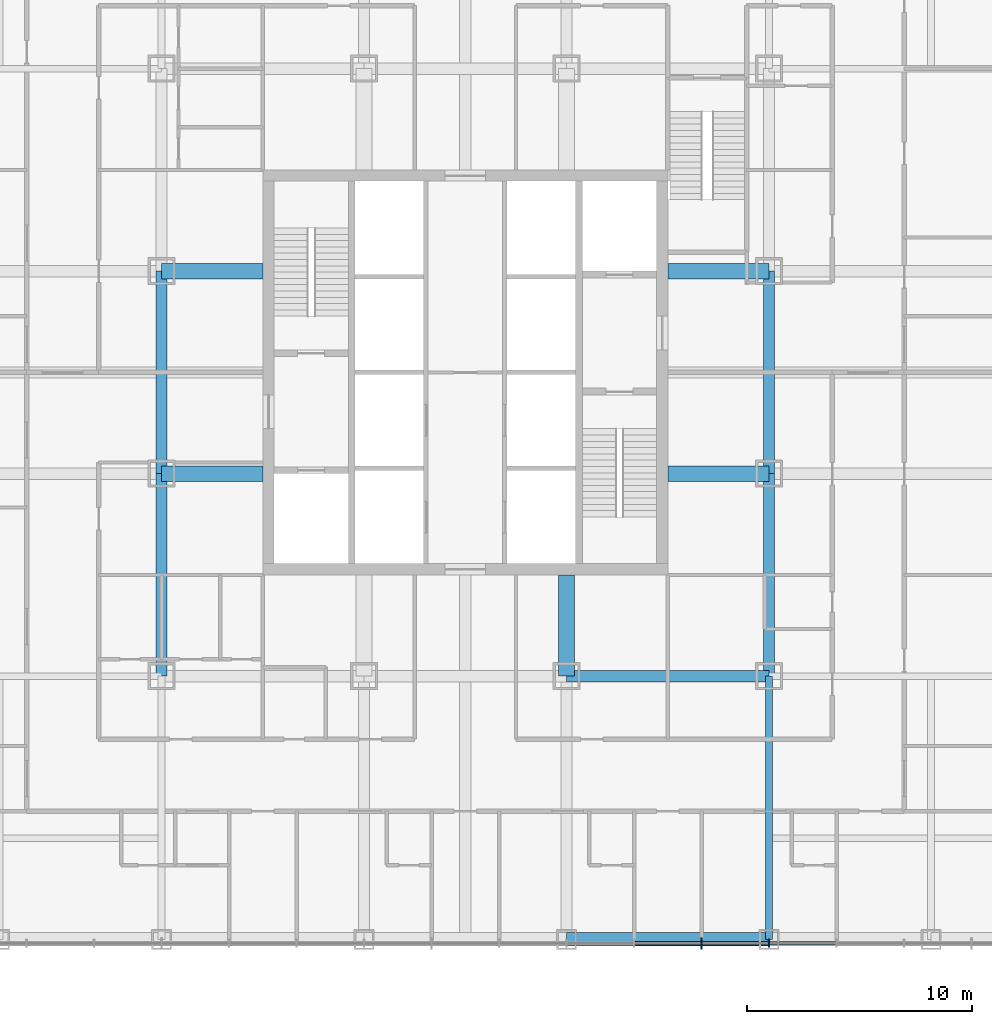
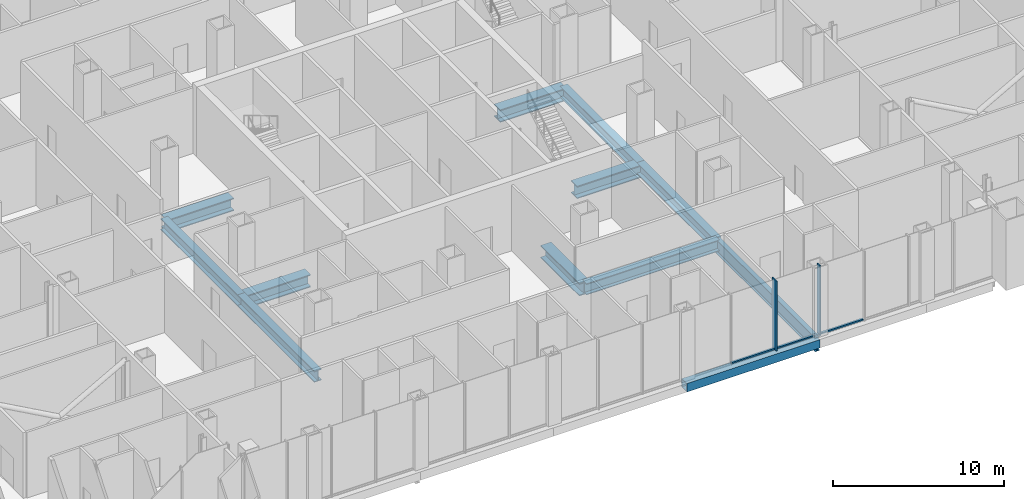
# One storey, part 7 of 28: 12 beams, 5 members, 1 element without a shape of its own.
"""IFC4 building model written with IfcOpenShell, lengths in metres."""

import ifcopenshell
import ifcopenshell.guid

model = None  # the IFC model being written
_history = None  # IfcOwnerHistory: only IFC2X3 demands one
_inside = {}  # id of a spatial element -> (the spatial element, [elements in it])
_under = {}  # id of a project, library or spatial element -> (it, [spatial elements below it])
_declared = {}  # id of a project -> (the project, [libraries it declares])
_typed = {}  # id of a type object -> (the type object, [elements of that type])
_made_of = {}  # id of a material, layer set ... -> (it, [elements and type objects made of it])


def new_model(schema):
    """Start an empty IFC model of exactly this schema.

    Asked for "IFC4X3", IfcOpenShell would pick the latest addendum, in which some entities
    have other attributes; the version numbers below select the first issue.
    IFC2X3 requires an IfcOwnerHistory on every rooted entity: one is made here for all.
    """
    global model, _history
    if schema == "IFC4X3":
        model = ifcopenshell.file(schema_version=(4, 3, 0, 0))
    else:
        model = ifcopenshell.file(schema=schema)
    _inside.clear()
    _under.clear()
    _declared.clear()
    _typed.clear()
    _made_of.clear()
    _history = None
    if model.schema == "IFC2X3":
        org = make("IfcOrganization", Name="unknown")
        user = make(
            "IfcPersonAndOrganization",
            ThePerson=make("IfcPerson", FamilyName="unknown"),
            TheOrganization=org,
        )
        app = make(
            "IfcApplication",
            ApplicationDeveloper=org,
            Version="unknown",
            ApplicationFullName="unknown",
            ApplicationIdentifier="unknown",
        )
        _history = make(
            "IfcOwnerHistory",
            OwningUser=user,
            OwningApplication=app,
            ChangeAction="ADDED",
            CreationDate=0,
        )
    return model


def make(cls, **values):
    """One entity of the class cls with the attributes given. An attribute that is None is left unset."""
    return model.create_entity(
        cls, **{name: value for name, value in values.items() if value is not None}
    )


def rooted(cls, **values):
    """An entity with a GlobalId (a new one), such as an element, a storey or a relation."""
    return make(cls, GlobalId=ifcopenshell.guid.new(), OwnerHistory=_history, **values)


def si_unit(unit_type, name, prefix=None):
    """IfcSIUnit, for example si_unit("LENGTHUNIT", "METRE", prefix="MILLI")."""
    return make("IfcSIUnit", UnitType=unit_type, Prefix=prefix, Name=name)


def assignment(units):
    """IfcUnitAssignment: the units of a project."""
    return None if units is None else make("IfcUnitAssignment", Units=units)


def point(xyz):
    """IfcCartesianPoint."""
    return None if xyz is None else make("IfcCartesianPoint", Coordinates=xyz)


def direction(xyz):
    """IfcDirection."""
    return None if xyz is None else make("IfcDirection", DirectionRatios=xyz)


def frame(location, z_axis=None, x_axis=None):
    """IfcAxis2Placement3D, a coordinate frame: its origin and axes. An axis left out is left unset."""
    return make(
        "IfcAxis2Placement3D",
        Location=point(location),
        Axis=direction(z_axis),
        RefDirection=direction(x_axis),
    )


def frame_2d(location, x_axis=None):
    """IfcAxis2Placement2D, a coordinate frame in the plane: its origin and x axis."""
    return make(
        "IfcAxis2Placement2D", Location=point(location), RefDirection=direction(x_axis)
    )


def origin():
    """The frame at (0, 0, 0) with its axes left unset."""
    return frame((0.0, 0.0, 0.0))


def origin_2d():
    """The frame at (0, 0) in the plane with its x axis left unset."""
    return frame_2d((0.0, 0.0))


def place(relative_to, where):
    """IfcLocalPlacement: puts the frame where relative to a parent placement (None: the world)."""
    return make(
        "IfcLocalPlacement", PlacementRelTo=relative_to, RelativePlacement=where
    )


def context(
    kind, dimensions, precision=None, world=None, true_north=None, identifier=None
):
    """IfcGeometricRepresentationContext, for example the 3D "Model" context."""
    return make(
        "IfcGeometricRepresentationContext",
        ContextIdentifier=identifier,
        ContextType=kind,
        CoordinateSpaceDimension=dimensions,
        Precision=precision,
        WorldCoordinateSystem=world,
        TrueNorth=true_north,
    )


def subcontext(parent, identifier, kind, view, scale=None):
    """IfcGeometricRepresentationSubContext, for example "Body" below "Model"."""
    return make(
        "IfcGeometricRepresentationSubContext",
        ContextIdentifier=identifier,
        ContextType=kind,
        ParentContext=parent,
        TargetScale=scale,
        TargetView=view,
    )


def project(units=None, contexts=None):
    """IfcProject with its units and contexts."""
    return rooted(
        "IfcProject",
        Name="project",
        RepresentationContexts=contexts,
        UnitsInContext=assignment(units),
    )


def spatial(cls, under=None, at=None, **own):
    """A site, building, storey or space (cls), placed at a placement, below another one or the project."""
    s = rooted(cls, ObjectPlacement=at, **own)
    if under is not None:
        _under.setdefault(under.id(), (under, []))[1].append(s)
    return s


def profile(cls, at=None, kind="AREA", **sizes):
    """A parametric profile (cls). Its sizes go by their IFC names, for example OverallWidth=200.0."""
    return make(cls, ProfileType=kind, Position=at, **sizes)


def rectangle(**sizes):
    """IfcRectangleProfileDef."""
    return profile("IfcRectangleProfileDef", **sizes)


def hollow_rectangle(**sizes):
    """IfcRectangleHollowProfileDef."""
    return profile("IfcRectangleHollowProfileDef", **sizes)


def i_section(**sizes):
    """IfcIShapeProfileDef."""
    return profile("IfcIShapeProfileDef", **sizes)


def extrude(swept, where, along, depth):
    """IfcExtrudedAreaSolid: the profile swept, set in the frame where, extruded along a direction by depth."""
    return make(
        "IfcExtrudedAreaSolid",
        SweptArea=swept,
        Position=where,
        ExtrudedDirection=direction(along),
        Depth=depth,
    )


def shape(context_of_items, identifier, shape_type, items):
    """IfcShapeRepresentation: the items that make up one representation, for example the "Body"."""
    return make(
        "IfcShapeRepresentation",
        ContextOfItems=context_of_items,
        RepresentationIdentifier=identifier,
        RepresentationType=shape_type,
        Items=items,
    )


def material(Name=None, Category=None):
    """IfcMaterial."""
    return make("IfcMaterial", Name=Name, Category=Category)


def layer(
    of_material, thickness, ventilated=None, Name=None, Category=None, Priority=None
):
    """IfcMaterialLayer: one layer of a wall or slab, of a material (None: an air gap)."""
    return make(
        "IfcMaterialLayer",
        Material=of_material,
        LayerThickness=thickness,
        IsVentilated=ventilated,
        Name=Name,
        Category=Category,
        Priority=Priority,
    )


def layer_set(layers, Name=None):
    """IfcMaterialLayerSet."""
    return make("IfcMaterialLayerSet", MaterialLayers=layers, LayerSetName=Name)


def material_profile(
    of_material, cross_section, Name=None, Category=None, Priority=None
):
    """IfcMaterialProfile: a cross section and its material."""
    return make(
        "IfcMaterialProfile",
        Name=Name,
        Material=of_material,
        Profile=cross_section,
        Priority=Priority,
        Category=Category,
    )


def profile_set(profiles, Name=None, composite=None):
    """IfcMaterialProfileSet."""
    return make(
        "IfcMaterialProfileSet",
        Name=Name,
        MaterialProfiles=profiles,
        CompositeProfile=composite,
    )


def made_of(thing, what):
    """Note that an element or type object is made of a material, layer set ...; save() writes the relation."""
    if what is not None:
        _made_of.setdefault(what.id(), (what, []))[1].append(thing)
    return thing


def type_object(cls, material=None, **own):
    """A type object (cls), such as IfcWallType, which elements share."""
    return made_of(rooted(cls, **own), material)


def element(
    cls,
    number,
    at=None,
    inside=None,
    cuts=None,
    type_object=None,
    material=None,
    context=None,
    identifier="Body",
    shape_type=None,
    held_by="IfcProductDefinitionShape",
    body=None,
    shapes=None,
    **own,
):
    """One element of the class cls, such as IfcWall. Its Tag is "e" and its number.

    at: its placement. inside: the storey or other place that contains it. cuts: it is an
    opening in that element (IfcRelVoidsElement). A single representation is given by context,
    identifier, shape_type and body (its items); several are given by shapes. held_by: the class
    of the entity that holds the representations. save() writes the other relations.
    """
    e = rooted(cls, Tag="e%d" % number, ObjectPlacement=at, **own)
    if body is not None:
        shapes = [shape(context, identifier, shape_type, body)]
    if shapes is not None:
        e.Representation = make(held_by, Representations=shapes)
    if inside is not None:
        _inside.setdefault(inside.id(), (inside, []))[1].append(e)
    if cuts is not None:
        rooted(
            "IfcRelVoidsElement", RelatingBuildingElement=cuts, RelatedOpeningElement=e
        )
    if type_object is not None:
        _typed.setdefault(type_object.id(), (type_object, []))[1].append(e)
    return made_of(e, material)


def aggregate(whole, parts):
    """IfcRelAggregates: a whole, such as a stair, and the parts it consists of."""
    return rooted("IfcRelAggregates", RelatingObject=whole, RelatedObjects=parts)


def save(model, path):
    """Write the relations noted so far, then the file.

    IfcRelAggregates (storeys below a building ...), IfcRelContainedInSpatialStructure (elements
    in a storey), IfcRelDefinesByType, IfcRelAssociatesMaterial and IfcRelDeclares: one each for
    every whole, place, type object, material and project.
    """
    for whole, parts in _under.values():
        aggregate(whole, parts)
    for where, things in _inside.values():
        rooted(
            "IfcRelContainedInSpatialStructure",
            RelatedElements=things,
            RelatingStructure=where,
        )
    for kind, things in _typed.values():
        rooted("IfcRelDefinesByType", RelatedObjects=things, RelatingType=kind)
    for what, things in _made_of.values():
        rooted("IfcRelAssociatesMaterial", RelatedObjects=things, RelatingMaterial=what)
    for by, libraries in _declared.values():
        rooted("IfcRelDeclares", RelatingContext=by, RelatedDefinitions=libraries)
    model.write(path)


model = new_model("IFC4")

# Units and contexts
model_context = context("Model", 3, precision=1e-05, world=origin(), true_north=direction((0.0, 1.0)))
body_context = subcontext(model_context, "Body", "Model", "MODEL_VIEW")
ifc_project = project(units=[si_unit("LENGTHUNIT", "METRE"), si_unit("AREAUNIT", "SQUARE_METRE"), si_unit("VOLUMEUNIT", "CUBIC_METRE"), si_unit("PLANEANGLEUNIT", "RADIAN"), si_unit("MASSUNIT", "GRAM", prefix="KILO")], contexts=[model_context])

# Site, building, storey
site_placement = place(None, origin())
site = spatial("IfcSite", under=ifc_project, at=site_placement, CompositionType="ELEMENT")
building_placement = place(site_placement, origin())
building = spatial("IfcBuilding", under=site, at=building_placement, Name="Malebo Sky Hospital", CompositionType="ELEMENT")
storey_placement = place(building_placement, frame((0.0, 0.0, 21.0)))
storey = spatial("IfcBuildingStorey", under=building, at=storey_placement, Name="L04", CompositionType="ELEMENT", Elevation=21.0)

# Curtain wall, members
ifc_material_1 = material(Name="Anodised aluminium, natural silver", Category="aluminium")
ifc_layer = layer(ifc_material_1, 0.25)
ifc_layer_set = layer_set([ifc_layer], Name="PODIUM ENTRANCE BAY CURTAIN WALL")
curtain_wall_type = type_object("IfcCurtainWallType", Name="PODIUM ENTRANCE BAY CURTAIN WALL", PredefinedType="NOTDEFINED", material=ifc_layer_set)
curtain_wall_placement = place(storey_placement, origin())
curtain_wall = element("IfcCurtainWall", 1, at=curtain_wall_placement, inside=storey, type_object=curtain_wall_type, Name="BAY curtain wall BS", PredefinedType="NOTDEFINED")
ifc_material_profile_1 = material_profile(ifc_material_1, rectangle(XDim=0.14990234375, YDim=0.10009765625, at=origin_2d()), Name="ALUMINIUM TRANSOM 150x100")
ifc_profile_set_1 = profile_set([ifc_material_profile_1], Name="Anodised aluminium, natural silver")
member_type_1 = type_object("IfcMemberType", Name="ALUMINIUM TRANSOM 150x100", PredefinedType="USERDEFINED", material=ifc_profile_set_1)
member_1_placement = place(storey_placement, frame((67.53759765625, 36.625, 0.050048828125), z_axis=(1.0, 0.0, 0.0), x_axis=(0.0, 1.0, 0.0)))
member_1 = element("IfcMember", 2, at=member_1_placement, type_object=member_type_1, Name="Transom 12", ObjectType="TRANSOM", PredefinedType="USERDEFINED", context=body_context, shape_type="SweptSolid", body=[
    extrude(rectangle(XDim=0.14990234375, YDim=0.10009765625, at=origin_2d()), origin(), (0.0, 0.0, 1.0), 2.9248046875),
])
member_2_placement = place(storey_placement, frame((70.53759765625, 36.625, 0.050048828125), z_axis=(1.0, 0.0, 0.0), x_axis=(0.0, 1.0, 0.0)))
member_2 = element("IfcMember", 3, at=member_2_placement, type_object=member_type_1, Name="Transom 13", ObjectType="TRANSOM", PredefinedType="USERDEFINED", context=body_context, shape_type="SweptSolid", body=[
    extrude(rectangle(XDim=0.14990234375, YDim=0.10009765625, at=origin_2d()), origin(), (0.0, 0.0, 1.0), 2.9248046875),
])
member_3_placement = place(storey_placement, frame((73.53759765625, 36.625, 0.050048828125), z_axis=(1.0, 0.0, 0.0), x_axis=(0.0, 1.0, 0.0)))
member_3 = element("IfcMember", 4, at=member_3_placement, type_object=member_type_1, Name="Transom 14", ObjectType="TRANSOM", PredefinedType="USERDEFINED", context=body_context, shape_type="SweptSolid", body=[
    extrude(rectangle(XDim=0.14990234375, YDim=0.10009765625, at=origin_2d()), origin(), (0.0, 0.0, 1.0), 2.9248046875),
])
ifc_material_profile_2 = material_profile(ifc_material_1, rectangle(XDim=0.074951171875, YDim=0.35009765625, at=origin_2d()), Name="CW4 ALUMINIUM FIN MULLION 75x350")
ifc_profile_set_2 = profile_set([ifc_material_profile_2], Name="Anodised aluminium, natural silver")
member_type_2 = type_object("IfcMemberType", Name="CW4 ALUMINIUM FIN MULLION 75x350", PredefinedType="MULLION", material=ifc_profile_set_2)
member_4_placement = place(storey_placement, frame((73.5, 36.625, 0.0), z_axis=(0.0, 0.0, 1.0), x_axis=(1.0, 0.0, 0.0)))
member_4 = element("IfcMember", 5, at=member_4_placement, type_object=member_type_2, Name="Fin mullion 14", PredefinedType="MULLION", context=body_context, shape_type="SweptSolid", body=[
    extrude(rectangle(XDim=0.074951171875, YDim=0.35009765625, at=origin_2d()), origin(), (0.0, 0.0, 1.0), 5.0),
])
ifc_material_profile_3 = material_profile(ifc_material_1, rectangle(XDim=0.074951171875, YDim=0.5, at=origin_2d()), Name="CW4 ALUMINIUM FIN MULLION 75x500")
ifc_profile_set_3 = profile_set([ifc_material_profile_3], Name="Anodised aluminium, natural silver")
member_type_3 = type_object("IfcMemberType", Name="CW4 ALUMINIUM FIN MULLION 75x500", PredefinedType="MULLION", material=ifc_profile_set_3)
member_5_placement = place(storey_placement, frame((70.5, 36.625, 0.0), z_axis=(0.0, 0.0, 1.0), x_axis=(1.0, 0.0, 0.0)))
member_5 = element("IfcMember", 6, at=member_5_placement, type_object=member_type_3, Name="Fin mullion 13", PredefinedType="MULLION", context=body_context, shape_type="SweptSolid", body=[
    extrude(rectangle(XDim=0.074951171875, YDim=0.5, at=origin_2d()), origin(), (0.0, 0.0, 1.0), 5.0),
])
aggregate(curtain_wall, [member_5, member_4, member_1, member_2, member_3])

# Beams
ifc_material_2 = material(Name="Steel S460", Category="steel")
ifc_material_profile_4 = material_profile(ifc_material_2, hollow_rectangle(XDim=0.60009765625, YDim=0.60009765625, WallThickness=0.0400390625, at=origin_2d()), Name="BOX 600x600x40")
ifc_profile_set_4 = profile_set([ifc_material_profile_4], Name="Steel S460")
beam_type_1 = type_object("IfcBeamType", Name="EDGE BEAM BOX 600x600x40", PredefinedType="BEAM", material=ifc_profile_set_4)
beam_1_placement = place(storey_placement, frame((64.5, 36.800048828125, -0.60009765625), z_axis=(1.0, 0.0, 0.0), x_axis=(0.0, 1.0, 0.0)))
element("IfcBeam", 7, at=beam_1_placement, inside=storey, type_object=beam_type_1, Name="Beam 042 L04", PredefinedType="BEAM", context=body_context, shape_type="SweptSolid", body=[
    extrude(hollow_rectangle(XDim=0.60009765625, YDim=0.60009765625, WallThickness=0.0400390625, at=origin_2d()), origin(), (0.0, 0.0, 1.0), 9.0),
])
ifc_material_3 = material(Name="Steel S355", Category="steel")
ifc_material_profile_5 = material_profile(ifc_material_3, i_section(OverallWidth=0.5, OverallDepth=0.800048828125, WebThickness=0.030029296875, FlangeThickness=0.050048828125, at=origin_2d()), Name="PG 800x500x30x50")
ifc_profile_set_5 = profile_set([ifc_material_profile_5], Name="Steel S355")
beam_type_2 = type_object("IfcBeamType", Name="FLOOR BEAM PG 800x500x30x50", PredefinedType="BEAM", material=ifc_profile_set_5)
for number, where, z_axis, x_axis, name in (
    (8, (46.5, 48.5, -0.699951171875), (0.0, 1.0, 0.0), (-1.0, 0.0, 0.0), "Beam 010 L04"),
    (9, (73.5, 48.5, -0.699951171875), (0.0, 1.0, 0.0), (-1.0, 0.0, 0.0), "Beam 025 L04"),
    (10, (64.5, 48.5, -0.699951171875), (1.0, 0.0, 0.0), (0.0, 1.0, 0.0), "Beam 050 L04"),
):
    element("IfcBeam", number, at=place(storey_placement, frame(where, z_axis=z_axis, x_axis=x_axis)), inside=storey, type_object=beam_type_2, Name=name, PredefinedType="BEAM", context=body_context, shape_type="SweptSolid", body=[
        extrude(i_section(OverallWidth=0.5, OverallDepth=0.800048828125, WebThickness=0.030029296875, FlangeThickness=0.050048828125, at=origin_2d()), origin(), (0.0, 0.0, 1.0), 9.0),
    ])
ifc_material_profile_6 = material_profile(ifc_material_3, i_section(OverallWidth=0.699951171875, OverallDepth=0.89990234375, WebThickness=0.0400390625, FlangeThickness=0.070068359375, at=origin_2d()), Name="PG 900x700x40x70")
ifc_profile_set_6 = profile_set([ifc_material_profile_6], Name="Steel S355")
beam_type_3 = type_object("IfcBeamType", Name="FLOOR BEAM PG 900x700x40x70", PredefinedType="BEAM", material=ifc_profile_set_6)
for number, where, z_axis, x_axis, name in (
    (11, (64.5, 48.5, -0.75), (0.0, 1.0, 0.0), (-1.0, 0.0, 0.0), "Beam 021 L04"),
    (12, (46.5, 57.5, -0.75), (1.0, 0.0, 0.0), (0.0, 1.0, 0.0), "Beam 053 L04"),
    (13, (69.0, 57.5, -0.75), (1.0, 0.0, 0.0), (0.0, 1.0, 0.0), "Beam 054 L04"),
    (14, (46.5, 66.5, -0.75), (1.0, 0.0, 0.0), (0.0, 1.0, 0.0), "Beam 059 L04"),
    (15, (69.0, 66.5, -0.75), (1.0, 0.0, 0.0), (0.0, 1.0, 0.0), "Beam 060 L04"),
):
    element("IfcBeam", number, at=place(storey_placement, frame(where, z_axis=z_axis, x_axis=x_axis)), inside=storey, type_object=beam_type_3, Name=name, PredefinedType="BEAM", context=body_context, shape_type="SweptSolid", body=[
        extrude(i_section(OverallWidth=0.699951171875, OverallDepth=0.89990234375, WebThickness=0.0400390625, FlangeThickness=0.070068359375, at=origin_2d()), origin(), (0.0, 0.0, 1.0), 4.5),
    ])
ifc_material_profile_7 = material_profile(ifc_material_3, i_section(OverallWidth=0.300048828125, OverallDepth=1.0, WebThickness=0.01904296875, FlangeThickness=0.035888671875, FilletRadius=0.030029296875, at=origin_2d()), Name="HEB 1000")
ifc_profile_set_7 = profile_set([ifc_material_profile_7], Name="Steel S355")
beam_type_4 = type_object("IfcBeamType", Name="FLOOR GIRDER HEB 1000", PredefinedType="BEAM", material=ifc_profile_set_7)
beam_2_placement = place(storey_placement, frame((73.5, 36.800048828125, -0.800048828125), z_axis=(0.0, 1.0, 0.0), x_axis=(-1.0, 0.0, 0.0)))
element("IfcBeam", 16, at=beam_2_placement, inside=storey, type_object=beam_type_4, Name="Beam 024 L04", PredefinedType="BEAM", context=body_context, shape_type="SweptSolid", body=[
    extrude(i_section(OverallWidth=0.300048828125, OverallDepth=1.0, WebThickness=0.01904296875, FlangeThickness=0.035888671875, FilletRadius=0.030029296875, at=origin_2d()), origin(), (0.0, 0.0, 1.0), 11.699951171875),
])
ifc_material_profile_8 = material_profile(ifc_material_3, i_section(OverallWidth=0.5, OverallDepth=0.800048828125, WebThickness=0.030029296875, FlangeThickness=0.050048828125, at=origin_2d()), Name="PG 800x500x30x50")
ifc_profile_set_8 = profile_set([ifc_material_profile_8], Name="Steel S355")
beam_type_5 = type_object("IfcBeamType", Name="RING GIRDER PG 800x500x30x50", PredefinedType="BEAM", material=ifc_profile_set_8)
for number, where, z_axis, x_axis, name in (
    (17, (46.5, 57.5, -0.699951171875), (0.0, 1.0, 0.0), (-1.0, 0.0, 0.0), "Beam 011 L04"),
    (18, (73.5, 57.5, -0.699951171875), (0.0, 1.0, 0.0), (-1.0, 0.0, 0.0), "Beam 026 L04"),
):
    element("IfcBeam", number, at=place(storey_placement, frame(where, z_axis=z_axis, x_axis=x_axis)), inside=storey, type_object=beam_type_5, Name=name, PredefinedType="BEAM", context=body_context, shape_type="SweptSolid", body=[
        extrude(i_section(OverallWidth=0.5, OverallDepth=0.800048828125, WebThickness=0.030029296875, FlangeThickness=0.050048828125, at=origin_2d()), origin(), (0.0, 0.0, 1.0), 9.0),
    ])

save(model, "model.ifc")
